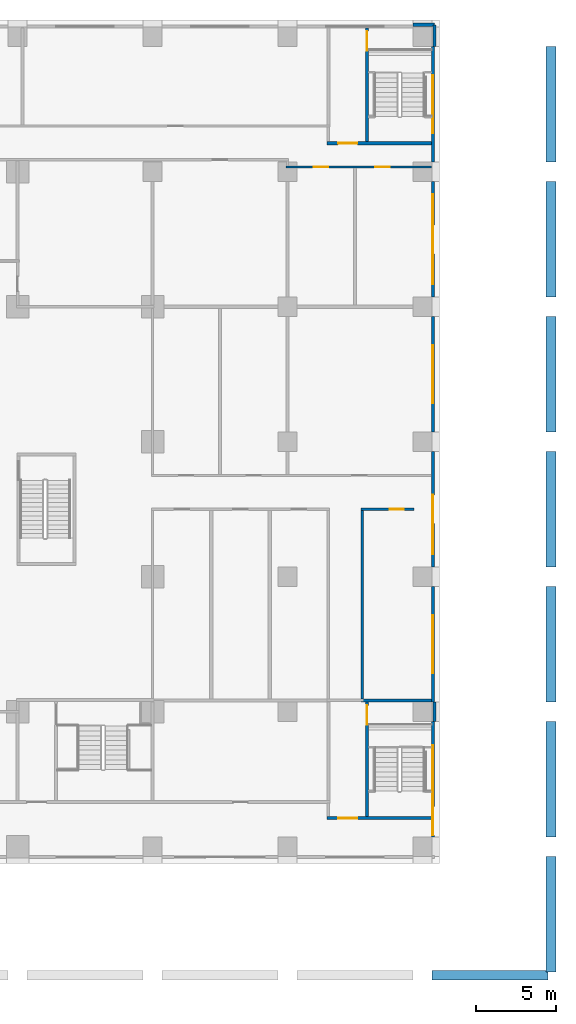
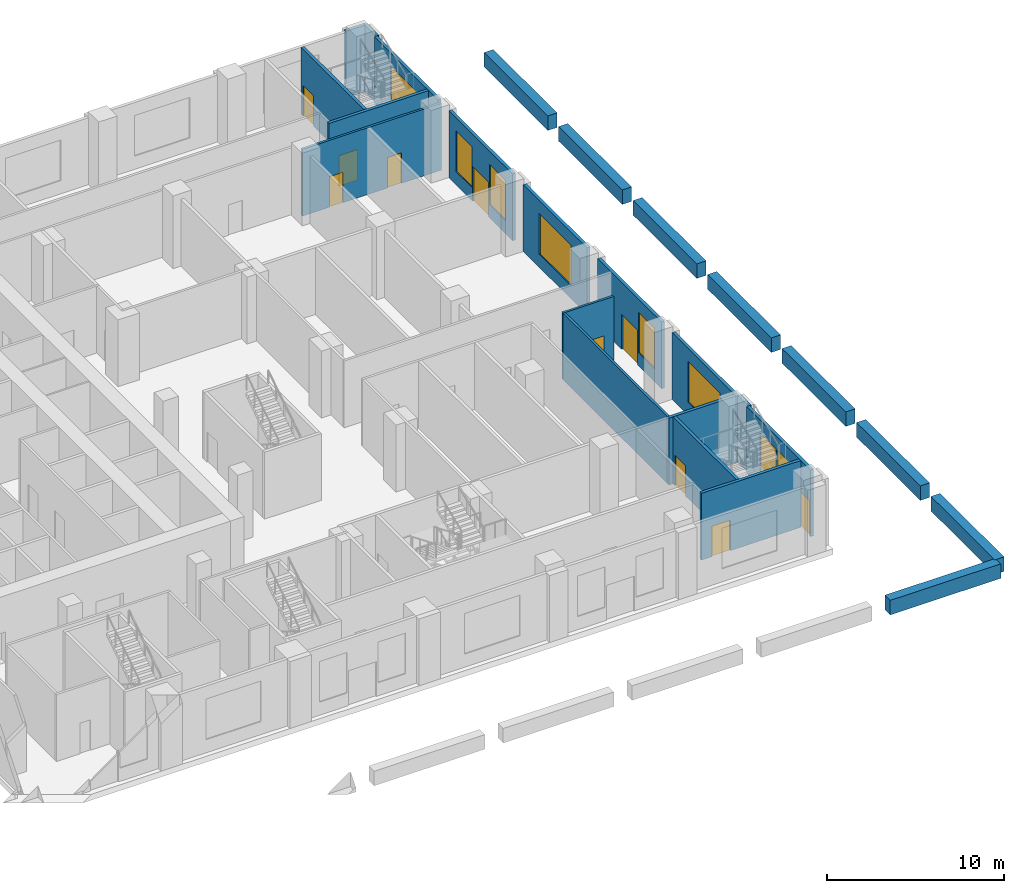
# One storey, part 10 of 21: 25 walls, 10 doors, 8 windows, 18 openings.
"""IFC4 building model written with IfcOpenShell, lengths in metres."""

from ifc_helpers import new_model, si_unit, direction, frame, frame_2d, origin, place, context, subcontext, project, spatial, rectangle, extrude, material, layer, layer_set, type_object, element, fill, save


model = new_model("IFC4")

# Units and contexts
model_context = context("Model", 3, precision=1e-05, world=origin(), true_north=direction((0.0, 1.0)))
body_context = subcontext(model_context, "Body", "Model", "MODEL_VIEW")
ifc_project = project(units=[si_unit("LENGTHUNIT", "METRE"), si_unit("AREAUNIT", "SQUARE_METRE"), si_unit("VOLUMEUNIT", "CUBIC_METRE"), si_unit("PLANEANGLEUNIT", "RADIAN"), si_unit("MASSUNIT", "GRAM", prefix="KILO")], contexts=[model_context])

# Site, building, storey
site_placement = place(None, origin())
site = spatial("IfcSite", under=ifc_project, at=site_placement, CompositionType="ELEMENT")
building_placement = place(site_placement, origin())
building = spatial("IfcBuilding", under=site, at=building_placement, Name="Vermilion Ogive Tower", CompositionType="ELEMENT")
storey_placement = place(building_placement, frame((0.0, 0.0, 25.0)))
storey = spatial("IfcBuildingStorey", under=building, at=storey_placement, Name="L04", CompositionType="ELEMENT", Elevation=25.0)

# Wall, opening, door
ifc_material_1 = material(Name="Gypsum board partition on steel studs", Category="steel")
ifc_layer_1 = layer(ifc_material_1, 0.14990234375)
ifc_layer_set_1 = layer_set([ifc_layer_1], Name="Partition 150 corridor")
wall_type_1 = type_object("IfcWallType", Name="Partition 150 corridor", PredefinedType="PARTITIONING", material=ifc_layer_set_1)
wall_1_placement = place(storey_placement, frame((38.175048828125, 0.0, 0.0), z_axis=(0.0, 0.0, 1.0), x_axis=(1.0, 0.0, 0.0)))
wall_1 = element("IfcWall", 1, at=wall_1_placement, inside=storey, type_object=wall_type_1, Name="L04-FS-W-W017", PredefinedType="PARTITIONING", context=body_context, shape_type="SweptSolid", body=[
    extrude(rectangle(XDim=3.300048828125, YDim=0.14990234375, at=frame_2d((1.64990234375, 0.0))), origin(), (0.0, 0.0, 1.0), 4.60009765625),
])
opening_1_placement = place(wall_1_placement, frame((1.77490234375, 0.0, 0.0)))
opening_1 = element("IfcOpeningElement", 2, at=opening_1_placement, cuts=wall_1, Name="Opening L04S024", PredefinedType="OPENING", context=body_context, shape_type="SweptSolid", body=[
    extrude(rectangle(XDim=0.89990234375, YDim=2.10009765625, at=frame_2d((0.449951171875, 1.050048828125))), frame((0.0, 0.0849609375, 0.0), z_axis=(0.0, -1.0, 0.0), x_axis=(1.0, 0.0, 0.0)), (0.0, 0.0, 1.0), 0.169921875),
])
ifc_material_2 = material(Name="Timber door leaf", Category="wood")
door_type_1 = type_object("IfcDoorType", Name="Room door 900 x 2100 FD30", OperationType="SINGLE_SWING_LEFT", PredefinedType="DOOR", material=ifc_material_2)
door_1_placement = place(opening_1_placement, origin())
door_1 = element("IfcDoor", 3, at=door_1_placement, inside=storey, type_object=door_type_1, Name="L04-FS-D-D024", OperationType="SINGLE_SWING_LEFT", OverallHeight=2.10009765625, OverallWidth=0.89990234375, PredefinedType="DOOR", context=body_context, shape_type="SweptSolid", body=[
    extrude(rectangle(XDim=0.89990234375, YDim=2.10009765625, at=frame_2d((0.449951171875, 1.050048828125))), frame((0.0, 0.02490234375, 0.0), z_axis=(0.0, -1.0, 0.0), x_axis=(1.0, 0.0, 0.0)), (0.0, 0.0, 1.0), 0.050048828125),
])
fill(opening_1, door_1)

# Wall, openings, doors
wall_2_placement = place(storey_placement, frame((33.5, 21.300048828125, 0.0), z_axis=(0.0, 0.0, 1.0), x_axis=(1.0, 0.0, 0.0)))
wall_2 = element("IfcWall", 4, at=wall_2_placement, inside=storey, type_object=wall_type_1, Name="L04-FS-W-W023", PredefinedType="PARTITIONING", context=body_context, shape_type="SweptSolid", body=[
    extrude(rectangle(XDim=9.050048828125, YDim=0.14990234375, at=frame_2d((4.52490234375, 0.0))), origin(), (0.0, 0.0, 1.0), 4.60009765625),
])
opening_2_placement = place(wall_2_placement, frame((1.75, 0.0, 0.0)))
opening_2 = element("IfcOpeningElement", 5, at=opening_2_placement, cuts=wall_2, Name="Opening L04S030", PredefinedType="OPENING", context=body_context, shape_type="SweptSolid", body=[
    extrude(rectangle(XDim=0.89990234375, YDim=2.10009765625, at=frame_2d((0.449951171875, 1.050048828125))), frame((0.0, 0.0849609375, 0.0), z_axis=(0.0, -1.0, 0.0), x_axis=(1.0, 0.0, 0.0)), (0.0, 0.0, 1.0), 0.169921875),
])
opening_3_placement = place(wall_2_placement, frame((5.550048828125, 0.0, 0.0)))
opening_3 = element("IfcOpeningElement", 6, at=opening_3_placement, cuts=wall_2, Name="Opening L04S031", PredefinedType="OPENING", context=body_context, shape_type="SweptSolid", body=[
    extrude(rectangle(XDim=0.89990234375, YDim=2.10009765625, at=frame_2d((0.449951171875, 1.050048828125))), frame((0.0, 0.0849609375, 0.0), z_axis=(0.0, -1.0, 0.0), x_axis=(1.0, 0.0, 0.0)), (0.0, 0.0, 1.0), 0.169921875),
])
door_2_placement = place(opening_2_placement, origin())
door_2 = element("IfcDoor", 7, at=door_2_placement, inside=storey, type_object=door_type_1, Name="L04-FS-D-D030", OperationType="SINGLE_SWING_LEFT", OverallHeight=2.10009765625, OverallWidth=0.89990234375, PredefinedType="DOOR", context=body_context, shape_type="SweptSolid", body=[
    extrude(rectangle(XDim=0.89990234375, YDim=2.10009765625, at=frame_2d((0.449951171875, 1.050048828125))), frame((0.0, 0.02490234375, 0.0), z_axis=(0.0, -1.0, 0.0), x_axis=(1.0, 0.0, 0.0)), (0.0, 0.0, 1.0), 0.050048828125),
])
fill(opening_2, door_2)
door_3_placement = place(opening_3_placement, origin())
door_3 = element("IfcDoor", 8, at=door_3_placement, inside=storey, type_object=door_type_1, Name="L04-FS-D-D031", OperationType="SINGLE_SWING_LEFT", OverallHeight=2.10009765625, OverallWidth=0.89990234375, PredefinedType="DOOR", context=body_context, shape_type="SweptSolid", body=[
    extrude(rectangle(XDim=0.89990234375, YDim=2.10009765625, at=frame_2d((0.449951171875, 1.050048828125))), frame((0.0, 0.02490234375, 0.0), z_axis=(0.0, -1.0, 0.0), x_axis=(1.0, 0.0, 0.0)), (0.0, 0.0, 1.0), 0.050048828125),
])
fill(opening_3, door_3)

# Wall
wall_3_placement = place(storey_placement, frame((38.25, -11.800048828125, 0.0), z_axis=(0.0, 0.0, 1.0), x_axis=(0.0, 1.0, 0.0)))
element("IfcWall", 9, at=wall_3_placement, inside=storey, type_object=wall_type_1, Name="L04-FS-W-W070", PredefinedType="PARTITIONING", context=body_context, shape_type="SweptSolid", body=[
    extrude(rectangle(XDim=11.72509765625, YDim=0.14990234375, at=frame_2d((5.862548828125, 0.0))), origin(), (0.0, 0.0, 1.0), 4.60009765625),
])

# Wall, opening, door
ifc_material_3 = material(Name="Concrete B60", Category="concrete")
ifc_layer_2 = layer(ifc_material_3, 0.199951171875)
ifc_layer_set_2 = layer_set([ifc_layer_2], Name="Stair shaft wall 200 Concrete B60")
wall_type_2 = type_object("IfcWallType", Name="Stair shaft wall 200 Concrete B60", PredefinedType="SOLIDWALL", material=ifc_layer_set_2)
wall_4_placement = place(storey_placement, frame((36.074951171875, -19.224853515625, 0.0), z_axis=(0.0, 0.0, 1.0), x_axis=(1.0, 0.0, 0.0)))
wall_4 = element("IfcWall", 10, at=wall_4_placement, inside=storey, type_object=wall_type_2, Name="L04-FS-W-W001", PredefinedType="SOLIDWALL", context=body_context, shape_type="SweptSolid", body=[
    extrude(rectangle(XDim=6.47509765625, YDim=0.199951171875, at=frame_2d((3.237548828125, 0.0))), origin(), (0.0, 0.0, 1.0), 4.60009765625),
])
opening_4_placement = place(wall_4_placement, frame((0.675048828125, 0.0, 0.0)))
opening_4 = element("IfcOpeningElement", 11, at=opening_4_placement, cuts=wall_4, Name="Opening L04S012", PredefinedType="OPENING", context=body_context, shape_type="SweptSolid", body=[
    extrude(rectangle(XDim=1.199951171875, YDim=2.10009765625, at=frame_2d((0.60009765625, 1.050048828125))), frame((0.0, 0.10986328125, 0.0), z_axis=(0.0, -1.0, 0.0), x_axis=(1.0, 0.0, 0.0)), (0.0, 0.0, 1.0), 0.219970703125),
])
ifc_material_4 = material(Name="Timber door leaf", Category="wood")
door_type_2 = type_object("IfcDoorType", Name="Stair door 1200 x 2100 FD60S", OperationType="SINGLE_SWING_LEFT", PredefinedType="DOOR", material=ifc_material_4)
door_4_placement = place(opening_4_placement, origin())
door_4 = element("IfcDoor", 12, at=door_4_placement, inside=storey, type_object=door_type_2, Name="L04-FS-D-D012", OperationType="SINGLE_SWING_LEFT", OverallHeight=2.10009765625, OverallWidth=1.199951171875, PredefinedType="DOOR", context=body_context, shape_type="SweptSolid", body=[
    extrude(rectangle(XDim=1.199951171875, YDim=2.10009765625, at=frame_2d((0.60009765625, 1.050048828125))), frame((0.0, 0.02490234375, 0.0), z_axis=(0.0, -1.0, 0.0), x_axis=(1.0, 0.0, 0.0)), (0.0, 0.0, 1.0), 0.050048828125),
])
fill(opening_4, door_4)

# Wall
wall_5_placement = place(storey_placement, frame((38.175048828125, -11.89990234375, 0.0), z_axis=(0.0, 0.0, 1.0), x_axis=(1.0, 0.0, 0.0)))
element("IfcWall", 13, at=wall_5_placement, inside=storey, type_object=wall_type_2, Name="L04-FS-W-W015", PredefinedType="SOLIDWALL", context=body_context, shape_type="SweptSolid", body=[
    extrude(rectangle(XDim=4.375, YDim=0.199951171875, at=frame_2d((2.1875, 0.0))), origin(), (0.0, 0.0, 1.0), 4.60009765625),
])

# Wall, opening, door
wall_6_placement = place(storey_placement, frame((36.074951171875, 22.775146484375, 0.0), z_axis=(0.0, 0.0, 1.0), x_axis=(1.0, 0.0, 0.0)))
wall_6 = element("IfcWall", 14, at=wall_6_placement, inside=storey, type_object=wall_type_2, Name="L04-FS-W-W026", PredefinedType="SOLIDWALL", context=body_context, shape_type="SweptSolid", body=[
    extrude(rectangle(XDim=6.47509765625, YDim=0.199951171875, at=frame_2d((3.237548828125, 0.0))), origin(), (0.0, 0.0, 1.0), 4.60009765625),
])
opening_5_placement = place(wall_6_placement, frame((0.675048828125, 0.0, 0.0)))
opening_5 = element("IfcOpeningElement", 15, at=opening_5_placement, cuts=wall_6, Name="Opening L04S008", PredefinedType="OPENING", context=body_context, shape_type="SweptSolid", body=[
    extrude(rectangle(XDim=1.199951171875, YDim=2.10009765625, at=frame_2d((0.60009765625, 1.050048828125))), frame((0.0, 0.10986328125, 0.0), z_axis=(0.0, -1.0, 0.0), x_axis=(1.0, 0.0, 0.0)), (0.0, 0.0, 1.0), 0.219970703125),
])
door_5_placement = place(opening_5_placement, origin())
door_5 = element("IfcDoor", 16, at=door_5_placement, inside=storey, type_object=door_type_2, Name="L04-FS-D-D008", OperationType="SINGLE_SWING_LEFT", OverallHeight=2.10009765625, OverallWidth=1.199951171875, PredefinedType="DOOR", context=body_context, shape_type="SweptSolid", body=[
    extrude(rectangle(XDim=1.199951171875, YDim=2.10009765625, at=frame_2d((0.60009765625, 1.050048828125))), frame((0.0, 0.02490234375, 0.0), z_axis=(0.0, -1.0, 0.0), x_axis=(1.0, 0.0, 0.0)), (0.0, 0.0, 1.0), 0.050048828125),
])
fill(opening_5, door_5)

wall_7_placement = place(storey_placement, frame((38.550048828125, -19.125, 0.0), z_axis=(0.0, 0.0, 1.0), x_axis=(0.0, 1.0, 0.0)))
wall_7 = element("IfcWall", 17, at=wall_7_placement, inside=storey, type_object=wall_type_2, Name="L04-FS-W-W071", PredefinedType="SOLIDWALL", context=body_context, shape_type="SweptSolid", body=[
    extrude(rectangle(XDim=7.125, YDim=0.199951171875, at=frame_2d((3.5625, 0.0))), origin(), (0.0, 0.0, 1.0), 4.60009765625),
])
opening_6_placement = place(wall_7_placement, frame((5.72509765625, 0.0, 0.0)))
opening_6 = element("IfcOpeningElement", 18, at=opening_6_placement, cuts=wall_7, Name="Opening L04S006", PredefinedType="OPENING", context=body_context, shape_type="SweptSolid", body=[
    extrude(rectangle(XDim=1.199951171875, YDim=2.10009765625, at=frame_2d((0.60009765625, 1.050048828125))), frame((0.0, 0.10986328125, 0.0), z_axis=(0.0, -1.0, 0.0), x_axis=(1.0, 0.0, 0.0)), (0.0, 0.0, 1.0), 0.219970703125),
])
door_6_placement = place(opening_6_placement, origin())
door_6 = element("IfcDoor", 19, at=door_6_placement, inside=storey, type_object=door_type_2, Name="L04-FS-D-D006", OperationType="DOUBLE_DOOR_SINGLE_SWING", OverallHeight=2.10009765625, OverallWidth=1.199951171875, PredefinedType="DOOR", context=body_context, shape_type="SweptSolid", body=[
    extrude(rectangle(XDim=1.199951171875, YDim=2.10009765625, at=frame_2d((0.60009765625, 1.050048828125))), frame((0.0, 0.02490234375, 0.0), z_axis=(0.0, -1.0, 0.0), x_axis=(1.0, 0.0, 0.0)), (0.0, 0.0, 1.0), 0.050048828125),
])
fill(opening_6, door_6)

wall_8_placement = place(storey_placement, frame((38.550048828125, 22.875, 0.0), z_axis=(0.0, 0.0, 1.0), x_axis=(0.0, 1.0, 0.0)))
wall_8 = element("IfcWall", 20, at=wall_8_placement, inside=storey, type_object=wall_type_2, Name="L04-FS-W-W072", PredefinedType="SOLIDWALL", context=body_context, shape_type="SweptSolid", body=[
    extrude(rectangle(XDim=7.074951171875, YDim=0.199951171875, at=frame_2d((3.53759765625, 0.0))), origin(), (0.0, 0.0, 1.0), 4.60009765625),
])
opening_7_placement = place(wall_8_placement, frame((5.675048828125, 0.0, 0.0)))
opening_7 = element("IfcOpeningElement", 21, at=opening_7_placement, cuts=wall_8, Name="Opening L04S002", PredefinedType="OPENING", context=body_context, shape_type="SweptSolid", body=[
    extrude(rectangle(XDim=1.199951171875, YDim=2.10009765625, at=frame_2d((0.60009765625, 1.050048828125))), frame((0.0, 0.10986328125, 0.0), z_axis=(0.0, -1.0, 0.0), x_axis=(1.0, 0.0, 0.0)), (0.0, 0.0, 1.0), 0.219970703125),
])
door_7_placement = place(opening_7_placement, origin())
door_7 = element("IfcDoor", 22, at=door_7_placement, inside=storey, type_object=door_type_2, Name="L04-FS-D-D002", OperationType="DOUBLE_DOOR_SINGLE_SWING", OverallHeight=2.10009765625, OverallWidth=1.199951171875, PredefinedType="DOOR", context=body_context, shape_type="SweptSolid", body=[
    extrude(rectangle(XDim=1.199951171875, YDim=2.10009765625, at=frame_2d((0.60009765625, 1.050048828125))), frame((0.0, 0.02490234375, 0.0), z_axis=(0.0, -1.0, 0.0), x_axis=(1.0, 0.0, 0.0)), (0.0, 0.0, 1.0), 0.050048828125),
])
fill(opening_7, door_7)

# Wall, openings, windows, door
wall_9_placement = place(storey_placement, frame((42.64990234375, -20.39990234375, 0.0), z_axis=(0.0, 0.0, 1.0), x_axis=(0.0, 1.0, 0.0)))
wall_9 = element("IfcWall", 23, at=wall_9_placement, inside=storey, type_object=wall_type_2, Name="Window wall E1", PredefinedType="SOLIDWALL", context=body_context, shape_type="SweptSolid", body=[
    extrude(rectangle(XDim=7.199951171875, YDim=0.199951171875, at=frame_2d((3.60009765625, 0.0))), origin(), (0.0, 0.0, 1.0), 4.60009765625),
])
opening_8_placement = place(wall_9_placement, frame((2.0, 0.0, 0.89990234375)))
opening_8 = element("IfcOpeningElement", 24, at=opening_8_placement, cuts=wall_9, Name="Opening P-E1A", PredefinedType="OPENING", context=body_context, shape_type="SweptSolid", body=[
    extrude(rectangle(XDim=1.800048828125, YDim=2.800048828125, at=frame_2d((0.89990234375, 1.39990234375))), frame((0.0, 0.10986328125, 0.0), z_axis=(0.0, -1.0, 0.0), x_axis=(1.0, 0.0, 0.0)), (0.0, 0.0, 1.0), 0.219970703125),
])
opening_9_placement = place(wall_9_placement, frame((0.10009765625, 0.0, 0.0)))
opening_9 = element("IfcOpeningElement", 25, at=opening_9_placement, cuts=wall_9, Name="Opening D2-E1", PredefinedType="OPENING", context=body_context, shape_type="SweptSolid", body=[
    extrude(rectangle(XDim=1.800048828125, YDim=2.39990234375, at=frame_2d((0.89990234375, 1.199951171875))), frame((0.0, 0.10986328125, 0.0), z_axis=(0.0, -1.0, 0.0), x_axis=(1.0, 0.0, 0.0)), (0.0, 0.0, 1.0), 0.219970703125),
])
opening_10_placement = place(wall_9_placement, frame((3.89990234375, 0.0, 0.89990234375)))
opening_10 = element("IfcOpeningElement", 26, at=opening_10_placement, cuts=wall_9, Name="Opening P-E1B", PredefinedType="OPENING", context=body_context, shape_type="SweptSolid", body=[
    extrude(rectangle(XDim=1.800048828125, YDim=2.800048828125, at=frame_2d((0.89990234375, 1.39990234375))), frame((0.0, 0.10986328125, 0.0), z_axis=(0.0, -1.0, 0.0), x_axis=(1.0, 0.0, 0.0)), (0.0, 0.0, 1.0), 0.219970703125),
])
ifc_material_5 = material(Name="Aluminium framed double glazing", Category="aluminium")
window_type_1 = type_object("IfcWindowType", Name="Podium window P 1800x2800 sill 900", PartitioningType="SINGLE_PANEL", PredefinedType="WINDOW", material=ifc_material_5)
window_1_placement = place(opening_8_placement, origin())
window_1 = element("IfcWindow", 27, at=window_1_placement, inside=storey, type_object=window_type_1, Name="Window E1A", OverallHeight=2.800048828125, OverallWidth=1.800048828125, PartitioningType="SINGLE_PANEL", PredefinedType="WINDOW", context=body_context, shape_type="SweptSolid", body=[
    extrude(rectangle(XDim=1.800048828125, YDim=2.800048828125, at=frame_2d((0.89990234375, 1.39990234375))), frame((0.0, 0.030029296875, 0.0), z_axis=(0.0, -1.0, 0.0), x_axis=(1.0, 0.0, 0.0)), (0.0, 0.0, 1.0), 0.06005859375),
])
fill(opening_8, window_1)
window_2_placement = place(opening_10_placement, origin())
window_2 = element("IfcWindow", 28, at=window_2_placement, inside=storey, type_object=window_type_1, Name="Window E1B", OverallHeight=2.800048828125, OverallWidth=1.800048828125, PartitioningType="SINGLE_PANEL", PredefinedType="WINDOW", context=body_context, shape_type="SweptSolid", body=[
    extrude(rectangle(XDim=1.800048828125, YDim=2.800048828125, at=frame_2d((0.89990234375, 1.39990234375))), frame((0.0, 0.030029296875, 0.0), z_axis=(0.0, -1.0, 0.0), x_axis=(1.0, 0.0, 0.0)), (0.0, 0.0, 1.0), 0.06005859375),
])
fill(opening_10, window_2)
ifc_material_6 = material(Name="Aluminium framed glazed door", Category="aluminium")
door_type_3 = type_object("IfcDoorType", Name="Terrace door D2", OperationType="SINGLE_SWING_LEFT", PredefinedType="DOOR", material=ifc_material_6)
door_8_placement = place(opening_9_placement, origin())
door_8 = element("IfcDoor", 29, at=door_8_placement, inside=storey, type_object=door_type_3, Name="Terrace door E1", OperationType="SINGLE_SWING_LEFT", OverallHeight=2.39990234375, OverallWidth=1.800048828125, PredefinedType="DOOR", context=body_context, shape_type="SweptSolid", body=[
    extrude(rectangle(XDim=1.800048828125, YDim=2.39990234375, at=frame_2d((0.89990234375, 1.199951171875))), frame((0.0, 0.02490234375, 0.0), z_axis=(0.0, -1.0, 0.0), x_axis=(1.0, 0.0, 0.0)), (0.0, 0.0, 1.0), 0.050048828125),
])
fill(opening_9, door_8)

# Wall, opening, window
wall_10_placement = place(storey_placement, frame((42.64990234375, 21.60009765625, 0.0), z_axis=(0.0, 0.0, 1.0), x_axis=(0.0, 1.0, 0.0)))
wall_10 = element("IfcWall", 30, at=wall_10_placement, inside=storey, type_object=wall_type_2, Name="Window wall E6", PredefinedType="SOLIDWALL", context=body_context, shape_type="SweptSolid", body=[
    extrude(rectangle(XDim=7.199951171875, YDim=0.199951171875, at=frame_2d((3.60009765625, 0.0))), origin(), (0.0, 0.0, 1.0), 4.60009765625),
])
opening_11_placement = place(wall_10_placement, frame((1.800048828125, 0.0, 0.89990234375)))
opening_11 = element("IfcOpeningElement", 31, at=opening_11_placement, cuts=wall_10, Name="Opening P-E6", PredefinedType="OPENING", context=body_context, shape_type="SweptSolid", body=[
    extrude(rectangle(XDim=3.60009765625, YDim=2.800048828125, at=frame_2d((1.800048828125, 1.39990234375))), frame((0.0, 0.10986328125, 0.0), z_axis=(0.0, -1.0, 0.0), x_axis=(1.0, 0.0, 0.0)), (0.0, 0.0, 1.0), 0.219970703125),
])
ifc_material_7 = material(Name="Aluminium framed double glazing", Category="aluminium")
window_type_2 = type_object("IfcWindowType", Name="Podium window P 3600x2800 sill 900", PartitioningType="SINGLE_PANEL", PredefinedType="WINDOW", material=ifc_material_7)
window_3_placement = place(opening_11_placement, origin())
window_3 = element("IfcWindow", 32, at=window_3_placement, inside=storey, type_object=window_type_2, Name="Window E6", OverallHeight=2.800048828125, OverallWidth=3.60009765625, PartitioningType="SINGLE_PANEL", PredefinedType="WINDOW", context=body_context, shape_type="SweptSolid", body=[
    extrude(rectangle(XDim=3.60009765625, YDim=2.800048828125, at=frame_2d((1.800048828125, 1.39990234375))), frame((0.0, 0.030029296875, 0.0), z_axis=(0.0, -1.0, 0.0), x_axis=(1.0, 0.0, 0.0)), (0.0, 0.0, 1.0), 0.06005859375),
])
fill(opening_11, window_3)

# Walls
wall_11_placement = place(storey_placement, frame((42.75, 28.800048828125, 0.0), z_axis=(0.0, 0.0, 1.0), x_axis=(0.0, 1.0, 0.0)))
element("IfcWall", 33, at=wall_11_placement, inside=storey, type_object=wall_type_2, Name="L04-SW-R003-E1", PredefinedType="SOLIDWALL", context=body_context, shape_type="SweptSolid", body=[
    extrude(rectangle(XDim=1.349853515625, YDim=0.199951171875, at=frame_2d((0.6748046875, 0.0))), origin(), (0.0, 0.0, 1.0), 4.60009765625),
])
wall_12_placement = place(storey_placement, frame((41.39990234375, 30.14990234375, 0.0), z_axis=(0.0, 0.0, 1.0), x_axis=(1.0, 0.0, 0.0)))
element("IfcWall", 34, at=wall_12_placement, inside=storey, type_object=wall_type_2, Name="L04-SW-R003-N1", PredefinedType="SOLIDWALL", context=body_context, shape_type="SweptSolid", body=[
    extrude(rectangle(XDim=1.35009765625, YDim=0.199951171875, at=frame_2d((0.675048828125, 0.0))), origin(), (0.0, 0.0, 1.0), 4.60009765625),
])
wall_13_placement = place(storey_placement, frame((42.75, -13.199951171875, 0.0), z_axis=(0.0, 0.0, 1.0), x_axis=(0.0, 1.0, 0.0)))
element("IfcWall", 35, at=wall_13_placement, inside=storey, type_object=wall_type_2, Name="L04-SW-R011-E1", PredefinedType="SOLIDWALL", context=body_context, shape_type="SweptSolid", body=[
    extrude(rectangle(XDim=1.199951171875, YDim=0.199951171875, at=frame_2d((0.60009765625, 0.0))), origin(), (0.0, 0.0, 1.0), 4.60009765625),
])
ifc_material_8 = material(Name="Concrete B40", Category="concrete")
ifc_layer_3 = layer(ifc_material_8, 0.60009765625)
ifc_layer_set_3 = layer_set([ifc_layer_3], Name="Terrace planter")
wall_type_3 = type_object("IfcWallType", Name="Terrace planter", PredefinedType="USERDEFINED", material=ifc_layer_set_3)
for number, where, z_axis, x_axis, name in (
    (36, (50.0, 28.800048828125, 0.0), (0.0, 0.0, 1.0), (0.0, -1.0, 0.0), "Terrace planter 1.1.1"),
    (37, (50.0, 20.39990234375, 0.0), (0.0, 0.0, 1.0), (0.0, -1.0, 0.0), "Terrace planter 1.1.2"),
    (38, (50.0, 12.0, 0.0), (0.0, 0.0, 1.0), (0.0, -1.0, 0.0), "Terrace planter 1.1.3"),
):
    element("IfcWall", number, at=place(storey_placement, frame(where, z_axis=z_axis, x_axis=x_axis)), inside=storey, type_object=wall_type_3, Name=name, ObjectType="PLANTER", PredefinedType="USERDEFINED", context=body_context, shape_type="SweptSolid", body=[
        extrude(rectangle(XDim=7.199951171875, YDim=0.60009765625, at=frame_2d((3.60009765625, 0.0))), origin(), (0.0, 0.0, 1.0), 1.0),
    ])
wall_14_placement = place(storey_placement, frame((50.0, 3.60009765625, 0.0), z_axis=(0.0, 0.0, 1.0), x_axis=(0.0, -1.0, 0.0)))
element("IfcWall", 39, at=wall_14_placement, inside=storey, type_object=wall_type_3, Name="Terrace planter 1.1.4", ObjectType="PLANTER", PredefinedType="USERDEFINED", context=body_context, shape_type="SweptSolid", body=[
    extrude(rectangle(XDim=7.2001953125, YDim=0.60009765625, at=frame_2d((3.60009765625, 0.0))), origin(), (0.0, 0.0, 1.0), 1.0),
])
for number, where, z_axis, x_axis, name in (
    (40, (50.0, -4.800048828125, 0.0), (0.0, 0.0, 1.0), (0.0, -1.0, 0.0), "Terrace planter 1.1.5"),
    (41, (50.0, -13.199951171875, 0.0), (0.0, 0.0, 1.0), (0.0, -1.0, 0.0), "Terrace planter 1.1.6"),
    (42, (50.0, -21.60009765625, 0.0), (0.0, 0.0, 1.0), (0.0, -1.0, 0.0), "Terrace planter 1.1.7"),
    (43, (49.800048828125, -29.0, 0.0), (0.0, 0.0, 1.0), (-1.0, 0.0, 0.0), "Terrace planter 1.1.8"),
):
    element("IfcWall", number, at=place(storey_placement, frame(where, z_axis=z_axis, x_axis=x_axis)), inside=storey, type_object=wall_type_3, Name=name, ObjectType="PLANTER", PredefinedType="USERDEFINED", context=body_context, shape_type="SweptSolid", body=[
        extrude(rectangle(XDim=7.199951171875, YDim=0.60009765625, at=frame_2d((3.60009765625, 0.0))), origin(), (0.0, 0.0, 1.0), 1.0),
    ])

# Wall, opening, window
ifc_material_9 = material(Name="Aluminium window wall framing", Category="aluminium")
ifc_layer_4 = layer(ifc_material_9, 0.199951171875)
ifc_layer_set_4 = layer_set([ifc_layer_4], Name="Window wall")
wall_type_4 = type_object("IfcWallType", Name="Window wall", PredefinedType="STANDARD", material=ifc_layer_set_4)
wall_15_placement = place(storey_placement, frame((42.64990234375, -12.0, 0.0), z_axis=(0.0, 0.0, 1.0), x_axis=(0.0, 1.0, 0.0)))
wall_15 = element("IfcWall", 44, at=wall_15_placement, inside=storey, type_object=wall_type_4, Name="Window wall E2", PredefinedType="STANDARD", context=body_context, shape_type="SweptSolid", body=[
    extrude(rectangle(XDim=7.199951171875, YDim=0.199951171875, at=frame_2d((3.60009765625, 0.0))), origin(), (0.0, 0.0, 1.0), 4.60009765625),
])
opening_12_placement = place(wall_15_placement, frame((1.800048828125, 0.0, 0.89990234375)))
opening_12 = element("IfcOpeningElement", 45, at=opening_12_placement, cuts=wall_15, Name="Opening P-E2", PredefinedType="OPENING", context=body_context, shape_type="SweptSolid", body=[
    extrude(rectangle(XDim=3.60009765625, YDim=2.800048828125, at=frame_2d((1.800048828125, 1.39990234375))), frame((0.0, 0.10986328125, 0.0), z_axis=(0.0, -1.0, 0.0), x_axis=(1.0, 0.0, 0.0)), (0.0, 0.0, 1.0), 0.219970703125),
])
window_4_placement = place(opening_12_placement, origin())
window_4 = element("IfcWindow", 46, at=window_4_placement, inside=storey, type_object=window_type_2, Name="Window E2", OverallHeight=2.800048828125, OverallWidth=3.60009765625, PartitioningType="SINGLE_PANEL", PredefinedType="WINDOW", context=body_context, shape_type="SweptSolid", body=[
    extrude(rectangle(XDim=3.60009765625, YDim=2.800048828125, at=frame_2d((1.800048828125, 1.39990234375))), frame((0.0, 0.030029296875, 0.0), z_axis=(0.0, -1.0, 0.0), x_axis=(1.0, 0.0, 0.0)), (0.0, 0.0, 1.0), 0.06005859375),
])
fill(opening_12, window_4)

# Wall, openings, window, door
wall_16_placement = place(storey_placement, frame((42.64990234375, -3.60009765625, 0.0), z_axis=(0.0, 0.0, 1.0), x_axis=(0.0, 1.0, 0.0)))
wall_16 = element("IfcWall", 47, at=wall_16_placement, inside=storey, type_object=wall_type_4, Name="Window wall E3", PredefinedType="STANDARD", context=body_context, shape_type="SweptSolid", body=[
    extrude(rectangle(XDim=7.2001953125, YDim=0.199951171875, at=frame_2d((3.60009765625, 0.0))), origin(), (0.0, 0.0, 1.0), 4.60009765625),
])
opening_13_placement = place(wall_16_placement, frame((0.800048828125, 0.0, 0.89990234375)))
opening_13 = element("IfcOpeningElement", 48, at=opening_13_placement, cuts=wall_16, Name="Opening P-E3A", PredefinedType="OPENING", context=body_context, shape_type="SweptSolid", body=[
    extrude(rectangle(XDim=1.800048828125, YDim=2.800048828125, at=frame_2d((0.89990234375, 1.39990234375))), frame((0.0, 0.10986328125, 0.0), z_axis=(0.0, -1.0, 0.0), x_axis=(1.0, 0.0, 0.0)), (0.0, 0.0, 1.0), 0.219970703125),
])
opening_14_placement = place(wall_16_placement, frame((2.699951171875, 0.0, 0.0)))
opening_14 = element("IfcOpeningElement", 49, at=opening_14_placement, cuts=wall_16, Name="Opening D2-E3", PredefinedType="OPENING", context=body_context, shape_type="SweptSolid", body=[
    extrude(rectangle(XDim=1.800048828125, YDim=2.39990234375, at=frame_2d((0.89990234375, 1.199951171875))), frame((0.0, 0.10986328125, 0.0), z_axis=(0.0, -1.0, 0.0), x_axis=(1.0, 0.0, 0.0)), (0.0, 0.0, 1.0), 0.219970703125),
])
window_5_placement = place(opening_13_placement, origin())
window_5 = element("IfcWindow", 50, at=window_5_placement, inside=storey, type_object=window_type_1, Name="Window E3A", OverallHeight=2.800048828125, OverallWidth=1.800048828125, PartitioningType="SINGLE_PANEL", PredefinedType="WINDOW", context=body_context, shape_type="SweptSolid", body=[
    extrude(rectangle(XDim=1.800048828125, YDim=2.800048828125, at=frame_2d((0.89990234375, 1.39990234375))), frame((0.0, 0.030029296875, 0.0), z_axis=(0.0, -1.0, 0.0), x_axis=(1.0, 0.0, 0.0)), (0.0, 0.0, 1.0), 0.06005859375),
])
fill(opening_13, window_5)
door_9_placement = place(opening_14_placement, origin())
door_9 = element("IfcDoor", 51, at=door_9_placement, inside=storey, type_object=door_type_3, Name="Terrace door E3", OperationType="SINGLE_SWING_LEFT", OverallHeight=2.39990234375, OverallWidth=1.800048828125, PredefinedType="DOOR", context=body_context, shape_type="SweptSolid", body=[
    extrude(rectangle(XDim=1.800048828125, YDim=2.39990234375, at=frame_2d((0.89990234375, 1.199951171875))), frame((0.0, 0.02490234375, 0.0), z_axis=(0.0, -1.0, 0.0), x_axis=(1.0, 0.0, 0.0)), (0.0, 0.0, 1.0), 0.050048828125),
])
fill(opening_14, door_9)

# Wall, opening, window
wall_17_placement = place(storey_placement, frame((42.64990234375, 4.800048828125, 0.0), z_axis=(0.0, 0.0, 1.0), x_axis=(0.0, 1.0, 0.0)))
wall_17 = element("IfcWall", 52, at=wall_17_placement, inside=storey, type_object=wall_type_4, Name="Window wall E4", PredefinedType="STANDARD", context=body_context, shape_type="SweptSolid", body=[
    extrude(rectangle(XDim=7.199951171875, YDim=0.199951171875, at=frame_2d((3.60009765625, 0.0))), origin(), (0.0, 0.0, 1.0), 4.60009765625),
])
opening_15_placement = place(wall_17_placement, frame((1.800048828125, 0.0, 0.89990234375)))
opening_15 = element("IfcOpeningElement", 53, at=opening_15_placement, cuts=wall_17, Name="Opening P-E4", PredefinedType="OPENING", context=body_context, shape_type="SweptSolid", body=[
    extrude(rectangle(XDim=3.60009765625, YDim=2.800048828125, at=frame_2d((1.800048828125, 1.39990234375))), frame((0.0, 0.10986328125, 0.0), z_axis=(0.0, -1.0, 0.0), x_axis=(1.0, 0.0, 0.0)), (0.0, 0.0, 1.0), 0.219970703125),
])
window_6_placement = place(opening_15_placement, origin())
window_6 = element("IfcWindow", 54, at=window_6_placement, inside=storey, type_object=window_type_2, Name="Window E4", OverallHeight=2.800048828125, OverallWidth=3.60009765625, PartitioningType="SINGLE_PANEL", PredefinedType="WINDOW", context=body_context, shape_type="SweptSolid", body=[
    extrude(rectangle(XDim=3.60009765625, YDim=2.800048828125, at=frame_2d((1.800048828125, 1.39990234375))), frame((0.0, 0.030029296875, 0.0), z_axis=(0.0, -1.0, 0.0), x_axis=(1.0, 0.0, 0.0)), (0.0, 0.0, 1.0), 0.06005859375),
])
fill(opening_15, window_6)

# Wall, openings, windows, door
wall_18_placement = place(storey_placement, frame((42.64990234375, 13.199951171875, 0.0), z_axis=(0.0, 0.0, 1.0), x_axis=(0.0, 1.0, 0.0)))
wall_18 = element("IfcWall", 55, at=wall_18_placement, inside=storey, type_object=wall_type_4, Name="Window wall E5", PredefinedType="STANDARD", context=body_context, shape_type="SweptSolid", body=[
    extrude(rectangle(XDim=7.199951171875, YDim=0.199951171875, at=frame_2d((3.60009765625, 0.0))), origin(), (0.0, 0.0, 1.0), 4.60009765625),
])
opening_16_placement = place(wall_18_placement, frame((0.800048828125, 0.0, 0.89990234375)))
opening_16 = element("IfcOpeningElement", 56, at=opening_16_placement, cuts=wall_18, Name="Opening P-E5A", PredefinedType="OPENING", context=body_context, shape_type="SweptSolid", body=[
    extrude(rectangle(XDim=1.800048828125, YDim=2.800048828125, at=frame_2d((0.89990234375, 1.39990234375))), frame((0.0, 0.10986328125, 0.0), z_axis=(0.0, -1.0, 0.0), x_axis=(1.0, 0.0, 0.0)), (0.0, 0.0, 1.0), 0.219970703125),
])
opening_17_placement = place(wall_18_placement, frame((2.699951171875, 0.0, 0.0)))
opening_17 = element("IfcOpeningElement", 57, at=opening_17_placement, cuts=wall_18, Name="Opening D2-E5", PredefinedType="OPENING", context=body_context, shape_type="SweptSolid", body=[
    extrude(rectangle(XDim=1.800048828125, YDim=2.39990234375, at=frame_2d((0.89990234375, 1.199951171875))), frame((0.0, 0.10986328125, 0.0), z_axis=(0.0, -1.0, 0.0), x_axis=(1.0, 0.0, 0.0)), (0.0, 0.0, 1.0), 0.219970703125),
])
opening_18_placement = place(wall_18_placement, frame((4.60009765625, 0.0, 0.89990234375)))
opening_18 = element("IfcOpeningElement", 58, at=opening_18_placement, cuts=wall_18, Name="Opening P-E5B", PredefinedType="OPENING", context=body_context, shape_type="SweptSolid", body=[
    extrude(rectangle(XDim=1.800048828125, YDim=2.800048828125, at=frame_2d((0.89990234375, 1.39990234375))), frame((0.0, 0.10986328125, 0.0), z_axis=(0.0, -1.0, 0.0), x_axis=(1.0, 0.0, 0.0)), (0.0, 0.0, 1.0), 0.219970703125),
])
window_7_placement = place(opening_16_placement, origin())
window_7 = element("IfcWindow", 59, at=window_7_placement, inside=storey, type_object=window_type_1, Name="Window E5A", OverallHeight=2.800048828125, OverallWidth=1.800048828125, PartitioningType="SINGLE_PANEL", PredefinedType="WINDOW", context=body_context, shape_type="SweptSolid", body=[
    extrude(rectangle(XDim=1.800048828125, YDim=2.800048828125, at=frame_2d((0.89990234375, 1.39990234375))), frame((0.0, 0.030029296875, 0.0), z_axis=(0.0, -1.0, 0.0), x_axis=(1.0, 0.0, 0.0)), (0.0, 0.0, 1.0), 0.06005859375),
])
fill(opening_16, window_7)
window_8_placement = place(opening_18_placement, origin())
window_8 = element("IfcWindow", 60, at=window_8_placement, inside=storey, type_object=window_type_1, Name="Window E5B", OverallHeight=2.800048828125, OverallWidth=1.800048828125, PartitioningType="SINGLE_PANEL", PredefinedType="WINDOW", context=body_context, shape_type="SweptSolid", body=[
    extrude(rectangle(XDim=1.800048828125, YDim=2.800048828125, at=frame_2d((0.89990234375, 1.39990234375))), frame((0.0, 0.030029296875, 0.0), z_axis=(0.0, -1.0, 0.0), x_axis=(1.0, 0.0, 0.0)), (0.0, 0.0, 1.0), 0.06005859375),
])
fill(opening_18, window_8)
door_10_placement = place(opening_17_placement, origin())
door_10 = element("IfcDoor", 61, at=door_10_placement, inside=storey, type_object=door_type_3, Name="Terrace door E5", OperationType="SINGLE_SWING_LEFT", OverallHeight=2.39990234375, OverallWidth=1.800048828125, PredefinedType="DOOR", context=body_context, shape_type="SweptSolid", body=[
    extrude(rectangle(XDim=1.800048828125, YDim=2.39990234375, at=frame_2d((0.89990234375, 1.199951171875))), frame((0.0, 0.02490234375, 0.0), z_axis=(0.0, -1.0, 0.0), x_axis=(1.0, 0.0, 0.0)), (0.0, 0.0, 1.0), 0.050048828125),
])
fill(opening_17, door_10)

save(model, "model.ifc")
